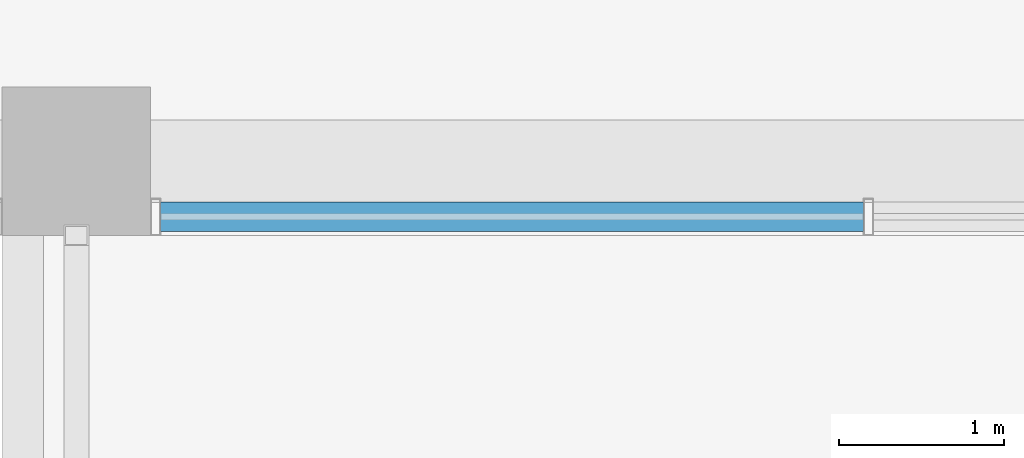
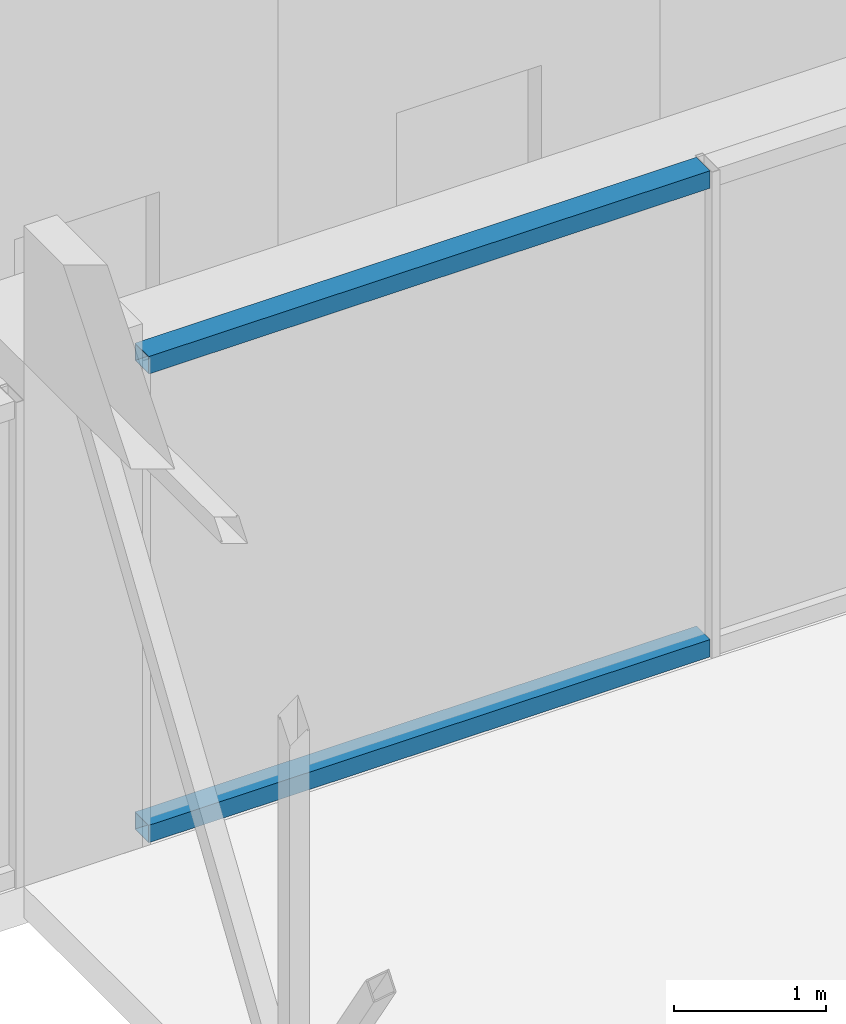
# One storey, part 11 of 38: 2 members, 1 element without a shape of its own.
"""IFC4 building model written with IfcOpenShell, lengths in metres."""

from ifc_helpers import new_model, si_unit, direction, frame, origin, origin_2d, place, context, subcontext, project, spatial, hollow_rectangle, extrude, material, layer, layer_set, material_profile, profile_set, type_object, element, aggregate, save


model = new_model("IFC4")

# Units and contexts
model_context = context("Model", 3, precision=1e-05, world=origin(), true_north=direction((0.0, 1.0)))
body_context = subcontext(model_context, "Body", "Model", "MODEL_VIEW")
ifc_project = project(units=[si_unit("LENGTHUNIT", "METRE"), si_unit("AREAUNIT", "SQUARE_METRE"), si_unit("VOLUMEUNIT", "CUBIC_METRE"), si_unit("PLANEANGLEUNIT", "RADIAN"), si_unit("MASSUNIT", "GRAM", prefix="KILO")], contexts=[model_context])

# Site, building, storey
site_placement = place(None, origin())
site = spatial("IfcSite", under=ifc_project, at=site_placement, CompositionType="ELEMENT")
building_placement = place(site_placement, origin())
building = spatial("IfcBuilding", under=site, at=building_placement, Name="Nzadi Deep Aquarium and Research Tower", CompositionType="ELEMENT")
storey_placement = place(building_placement, frame((0.0, 0.0, 48.699951171875)))
storey = spatial("IfcBuildingStorey", under=building, at=storey_placement, Name="L09", CompositionType="ELEMENT", Elevation=48.699951171875)

# Curtain wall, members
ifc_material_1 = material(Name="Aluminium unitised frame deep", Category="aluminium")
ifc_layer = layer(ifc_material_1, 0.22509765625)
ifc_layer_set = layer_set([ifc_layer], Name="Aluminium unitised frame deep")
curtain_wall_type = type_object("IfcCurtainWallType", Name="Curtain wall Unitised Deep 225", PredefinedType="NOTDEFINED", material=ifc_layer_set)
curtain_wall_placement = place(storey_placement, origin())
curtain_wall = element("IfcCurtainWall", 1, at=curtain_wall_placement, inside=storey, type_object=curtain_wall_type, Name="Unitised curtain wall blade B south L09", PredefinedType="NOTDEFINED")
ifc_material_2 = material(Name="Aluminium unitised frame deep", Category="aluminium")
ifc_material_profile = material_profile(ifc_material_2, hollow_rectangle(XDim=0.179931640625, YDim=0.139892578125, WallThickness=0.0048828125, at=origin_2d()))
ifc_profile_set = profile_set([ifc_material_profile], Name="Aluminium unitised frame deep")
member_type = type_object("IfcMemberType", Name="Transom 140x180 Unitised Deep", PredefinedType="MULLION", material=ifc_profile_set)
member_1_placement = place(storey_placement, frame((29.31005859375, 27.262451171875, 0.070068359375), z_axis=(1.0, 0.0, 0.0), x_axis=(0.0, 1.0, 0.0)))
member_1 = element("IfcMember", 2, at=member_1_placement, type_object=member_type, Name="CW121 transom 1.1", PredefinedType="MULLION", context=body_context, shape_type="SweptSolid", body=[
    extrude(hollow_rectangle(XDim=0.179931640625, YDim=0.139892578125, WallThickness=0.0048828125, at=origin_2d()), origin(), (0.0, 0.0, 1.0), 4.260009765625),
])
member_2_placement = place(storey_placement, frame((29.31005859375, 27.262451171875, 3.830078125), z_axis=(1.0, 0.0, 0.0), x_axis=(0.0, 1.0, 0.0)))
member_2 = element("IfcMember", 3, at=member_2_placement, type_object=member_type, Name="CW121 transom 1.2", PredefinedType="MULLION", context=body_context, shape_type="SweptSolid", body=[
    extrude(hollow_rectangle(XDim=0.179931640625, YDim=0.139892578125, WallThickness=0.0048828125, at=origin_2d()), origin(), (0.0, 0.0, 1.0), 4.260009765625),
])
aggregate(curtain_wall, [member_1, member_2])

save(model, "model.ifc")
